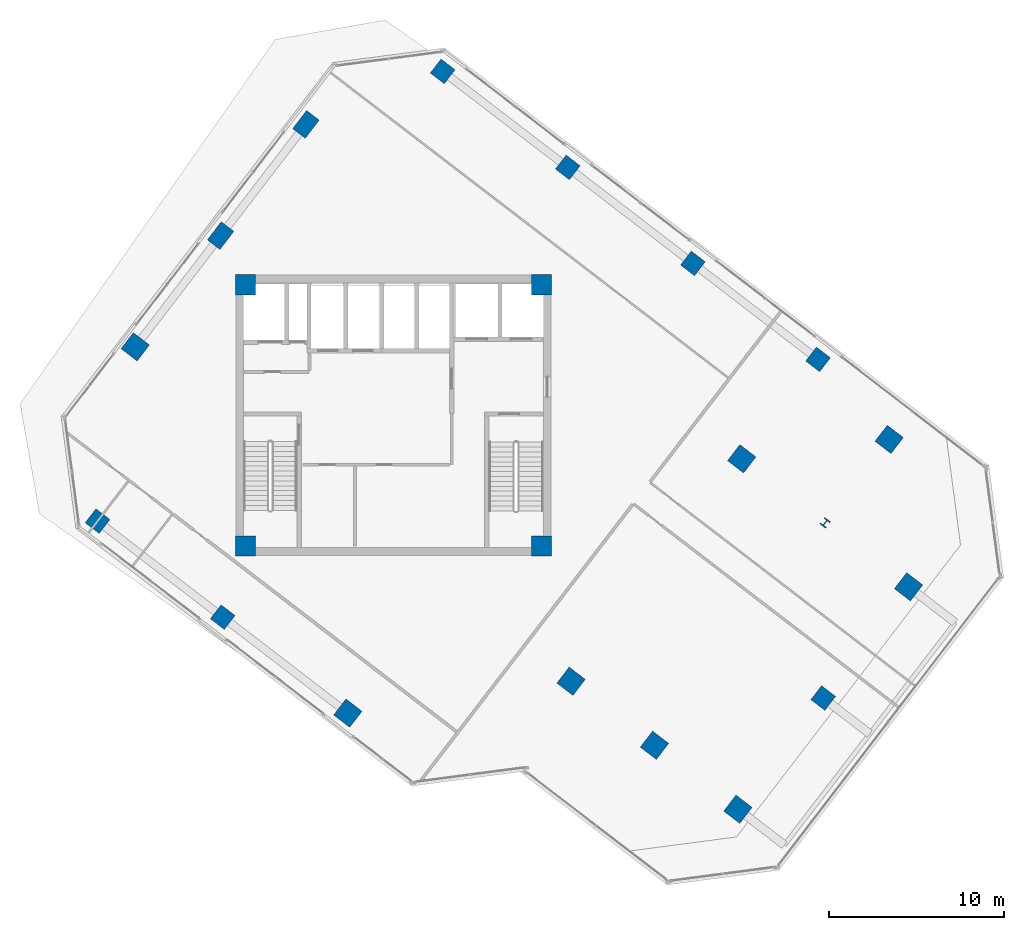
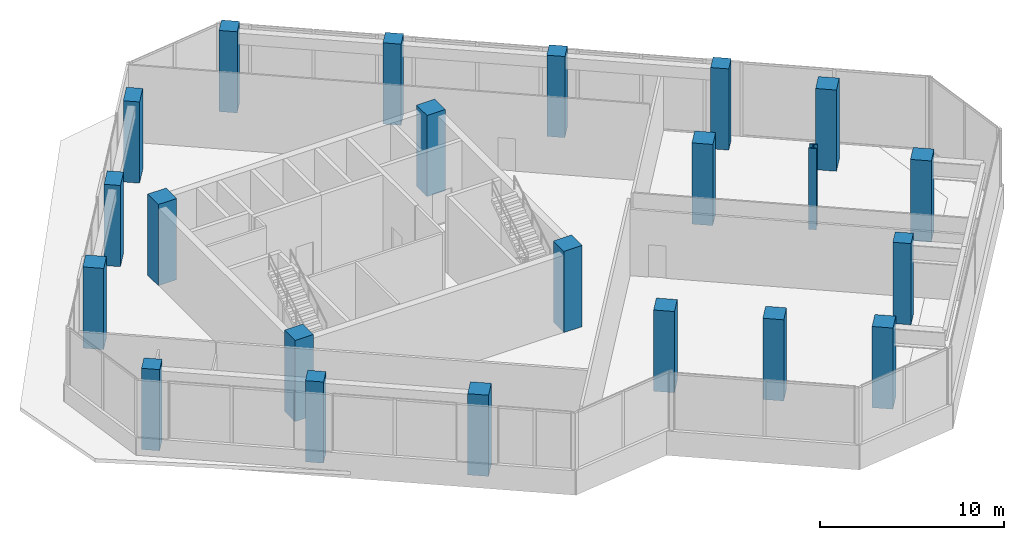
# One storey, part 1 of 23: 22 columns.
"""IFC4 building model written with IfcOpenShell, lengths in metres."""

from ifc_helpers import new_model, si_unit, direction, frame, origin, origin_2d, place, context, subcontext, project, spatial, rectangle, i_section, extrude, source, transform, mapped, material, material_profile, profile_set, type_object, element, save


model = new_model("IFC4")

# Units and contexts
model_context = context("Model", 3, precision=1e-05, world=origin(), true_north=direction((0.0, 1.0)))
body_context = subcontext(model_context, "Body", "Model", "MODEL_VIEW")
ifc_project = project(units=[si_unit("LENGTHUNIT", "METRE"), si_unit("AREAUNIT", "SQUARE_METRE"), si_unit("VOLUMEUNIT", "CUBIC_METRE"), si_unit("PLANEANGLEUNIT", "RADIAN"), si_unit("MASSUNIT", "GRAM", prefix="KILO")], contexts=[model_context])

# Site, building, storey
site_placement = place(None, origin())
site = spatial("IfcSite", under=ifc_project, at=site_placement, CompositionType="ELEMENT")
building_placement = place(site_placement, origin())
building = spatial("IfcBuilding", under=site, at=building_placement, Name="Torre Montelarca", CompositionType="ELEMENT")
storey_placement = place(building_placement, frame((0.0, 0.0, 204.39990234375)))
storey = spatial("IfcBuildingStorey", under=building, at=storey_placement, Name="L46", CompositionType="ELEMENT", Elevation=204.39990234375)

# Columns
ifc_material_1 = material(Name="Concrete C55/67", Category="concrete")
ifc_material_profile_1 = material_profile(ifc_material_1, rectangle(XDim=1.14990234375, YDim=1.14990234375, at=origin_2d()), Name="RC1150X1150", Category="concrete")
ifc_profile_set_1 = profile_set([ifc_material_profile_1], Name="Concrete C55/67")
column_type_1 = type_object("IfcColumnType", Name="COL-RC1150", PredefinedType="COLUMN", material=ifc_profile_set_1)
shared_shape_1 = source(origin(), body_context, "Body", "SweptSolid", [
    extrude(rectangle(XDim=1.14990234375, YDim=1.14990234375, at=origin_2d()), origin(), (0.0, 0.0, 1.0), 5.398681640625),
])
for number, where, z_axis, x_axis, name in (
    (1, (9.550048828125, 24.550048828125, 0.000732421875), (0.0, 0.0, 1.0), (1.0, 0.0, 0.0), "L46 Plumb Core Corner Column 2D"),
    (2, (26.449951171875, 24.550048828125, 0.000732421875), (0.0, 0.0, 1.0), (1.0, 0.0, 0.0), "L46 Plumb Core Corner Column 4D"),
    (3, (9.550048828125, 39.449951171875, 0.000732421875), (0.0, 0.0, 1.0), (1.0, 0.0, 0.0), "L46 Plumb Core Corner Column 2F"),
    (4, (26.449951171875, 39.449951171875, 0.000732421875), (0.0, 0.0, 1.0), (1.0, 0.0, 0.0), "L46 Plumb Core Corner Column 4F"),
    (5, (28.133544921875, 16.826171875, 0.000732421875), (0.0, 0.0, 1.0), (-0.793353340291, 0.608761429009, 0.0), "L46 Column 5/D"),
    (6, (37.873779296875, 29.519775390625, 0.000732421875), (0.0, 0.0, 1.0), (-0.793353340291, 0.608761429009, 0.0), "L46 Column 5/F"),
    (7, (32.893798828125, 13.173583984375, 0.000732421875), (0.0, 0.0, 1.0), (-0.793353340291, 0.608761429009, 0.0), "L46 Column 6/D"),
    (8, (46.286376953125, 30.627197265625, 0.000732421875), (0.0, 0.0, 1.0), (-0.793353340291, 0.608761429009, 0.0), "L46 Column 6/G"),
):
    element("IfcColumn", number, at=place(storey_placement, frame(where, z_axis=z_axis, x_axis=x_axis)), inside=storey, type_object=column_type_1, Name=name, PredefinedType="COLUMN", context=body_context, shape_type="MappedRepresentation", body=[
        mapped(shared_shape_1, transform((0.0, 0.0, 0.0), scale=1.0)),
    ])
ifc_material_profile_2 = material_profile(ifc_material_1, rectangle(XDim=1.0, YDim=1.0, at=origin_2d()), Name="RC1000X1000", Category="concrete")
ifc_profile_set_2 = profile_set([ifc_material_profile_2], Name="Concrete C55/67")
column_type_2 = type_object("IfcColumnType", Name="COL-RC1000-EXT", PredefinedType="COLUMN", material=ifc_profile_set_2)
shared_shape_2 = source(origin(), body_context, "Body", "SweptSolid", [
    extrude(rectangle(XDim=1.0, YDim=1.0, at=origin_2d()), origin(), (0.0, 0.0, 1.0), 5.398681640625),
])
for number, where, z_axis, x_axis, name in (
    (9, (1.1123046875, 25.9638671875, 0.000732421875), (0.0, 0.0, 1.0), (-0.793353340291, 0.608761429009, 0.0), "L46 Column 2/CS"),
    (10, (20.805908203125, 51.62890625, 0.000732421875), (0.0, 0.0, 1.0), (-0.793353340291, 0.608761429009, 0.0), "L46 Column 2/GN"),
    (11, (8.252685546875, 20.485107421875, 0.000732421875), (0.0, 0.0, 1.0), (-0.793353340291, 0.608761429009, 0.0), "L46 Column 3/CS"),
    (12, (27.946044921875, 46.14990234375, 0.000732421875), (0.0, 0.0, 1.0), (-0.793353340291, 0.608761429009, 0.0), "L46 Column 3/GN"),
    (13, (35.086181640625, 40.671142578125, 0.000732421875), (0.0, 0.0, 1.0), (-0.793353340291, 0.608761429009, 0.0), "L46 Column 4/GN"),
    (14, (42.226318359375, 35.1923828125, 0.000732421875), (0.0, 0.0, 1.0), (-0.793353340291, 0.608761429009, 0.0), "L46 Column 5/GN"),
    (15, (42.52392578125, 15.867919921875, 0.000732421875), (0.0, 0.0, 1.0), (-0.793353340291, 0.608761429009, 0.0), "L46 Column 7/E"),
):
    element("IfcColumn", number, at=place(storey_placement, frame(where, z_axis=z_axis, x_axis=x_axis)), inside=storey, type_object=column_type_2, Name=name, PredefinedType="COLUMN", context=body_context, shape_type="MappedRepresentation", body=[
        mapped(shared_shape_2, transform((0.0, 0.0, 0.0), scale=1.0)),
    ])
ifc_material_profile_3 = material_profile(ifc_material_1, rectangle(XDim=1.14990234375, YDim=1.14990234375, at=origin_2d()), Name="RC1150X1150", Category="concrete")
ifc_profile_set_3 = profile_set([ifc_material_profile_3], Name="Concrete C55/67")
column_type_3 = type_object("IfcColumnType", Name="COL-RC1150-EXT", PredefinedType="COLUMN", material=ifc_profile_set_3)
shared_shape_3 = source(origin(), body_context, "Body", "SweptSolid", [
    extrude(rectangle(XDim=1.14990234375, YDim=1.14990234375, at=origin_2d()), origin(), (0.0, 0.0, 1.0), 5.398681640625),
])
for number, where, z_axis, x_axis, name in (
    (16, (15.392578125, 15.006103515625, 0.000732421875), (0.0, 0.0, 1.0), (-0.793353340291, 0.608761429009, 0.0), "L46 Column 4/CS"),
    (17, (37.65380859375, 9.52099609375, 0.000732421875), (0.0, 0.0, 1.0), (-0.793353340291, 0.608761429009, 0.0), "L46 Column 7/D"),
    (18, (47.39404296875, 22.214599609375, 0.000732421875), (0.0, 0.0, 1.0), (-0.793353340291, 0.608761429009, 0.0), "L46 Column 7/F"),
    (19, (3.261962890625, 35.910888671875, 0.000732421875), (0.0, 0.0, 1.0), (-0.793353340291, 0.608761429009, 0.0), "L46 Column 1W/D"),
):
    element("IfcColumn", number, at=place(storey_placement, frame(where, z_axis=z_axis, x_axis=x_axis)), inside=storey, type_object=column_type_3, Name=name, PredefinedType="COLUMN", context=body_context, shape_type="MappedRepresentation", body=[
        mapped(shared_shape_3, transform((0.0, 0.0, 0.0), scale=1.0)),
    ])
ifc_material_2 = material(Name="Steel ASTM A992 Grade 50", Category="steel")
ifc_material_profile_4 = material_profile(ifc_material_2, i_section(OverallWidth=0.4208984375, OverallDepth=0.465087890625, WebThickness=0.044921875, FlangeThickness=0.072265625, FilletRadius=0.014892578125, at=origin_2d()), Name="W360X592", Category="steel")
ifc_profile_set_4 = profile_set([ifc_material_profile_4], Name="Steel ASTM A992 Grade 50")
column_type_4 = type_object("IfcColumnType", Name="COL-W360X592", PredefinedType="COLUMN", material=ifc_profile_set_4)
shared_shape_4 = source(origin(), body_context, "Body", "SweptSolid", [
    extrude(i_section(OverallWidth=0.4208984375, OverallDepth=0.465087890625, WebThickness=0.044921875, FlangeThickness=0.072265625, FilletRadius=0.014892578125, at=origin_2d()), origin(), (0.0, 0.0, 1.0), 5.398681640625),
])
column_placement = place(storey_placement, frame((42.6337890625, 25.8671875, 0.000732421875), z_axis=(0.0, 0.0, 1.0), x_axis=(-0.793353340291, 0.608761429009, 0.0)))
element("IfcColumn", 20, at=column_placement, inside=storey, type_object=column_type_4, Name="L46 Column 6/F", PredefinedType="COLUMN", context=body_context, shape_type="MappedRepresentation", body=[
    mapped(shared_shape_4, transform((0.0, 0.0, 0.0), scale=1.0)),
])
ifc_material_profile_5 = material_profile(ifc_material_1, rectangle(XDim=0.89990234375, YDim=1.300048828125, at=origin_2d()), Name="RC1300X900", Category="concrete")
ifc_profile_set_5 = profile_set([ifc_material_profile_5], Name="Concrete C55/67")
column_type_5 = type_object("IfcColumnType", Name="COL-PIL1300-EXT", PredefinedType="PILASTER", material=ifc_profile_set_5)
shared_shape_5 = source(origin(), body_context, "Body", "SweptSolid", [
    extrude(rectangle(XDim=0.89990234375, YDim=1.300048828125, at=origin_2d()), origin(), (0.0, 0.0, 1.0), 5.398681640625),
])
for number, where, z_axis, x_axis, name in (
    (21, (8.132080078125, 42.257568359375, 0.000732421875), (0.0, 0.0, 1.0), (-0.793353340291, 0.608761429009, 0.0), "L46 Column 1W/E"),
    (22, (13.002197265625, 48.6044921875, 0.000732421875), (0.0, 0.0, 1.0), (-0.793353340291, 0.608761429009, 0.0), "L46 Column 1W/F"),
):
    element("IfcColumn", number, at=place(storey_placement, frame(where, z_axis=z_axis, x_axis=x_axis)), inside=storey, type_object=column_type_5, Name=name, PredefinedType="PILASTER", context=body_context, shape_type="MappedRepresentation", body=[
        mapped(shared_shape_5, transform((0.0, 0.0, 0.0), scale=1.0)),
    ])

save(model, "model.ifc")
